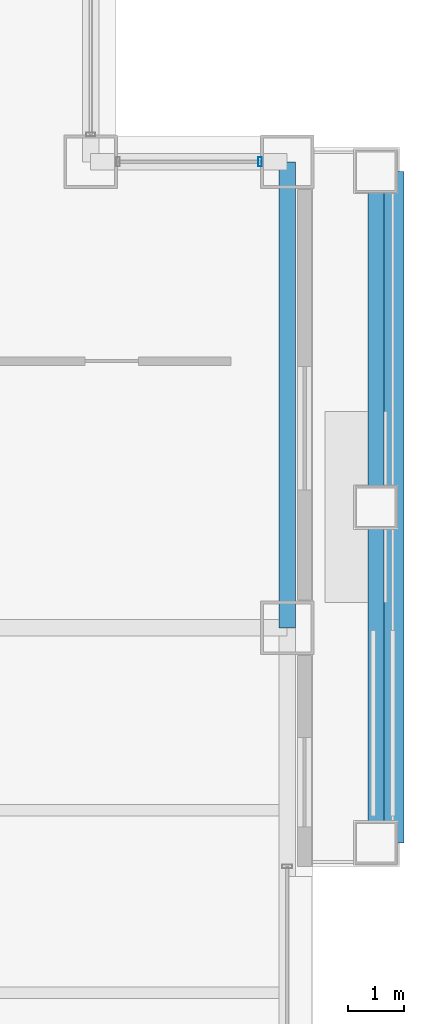
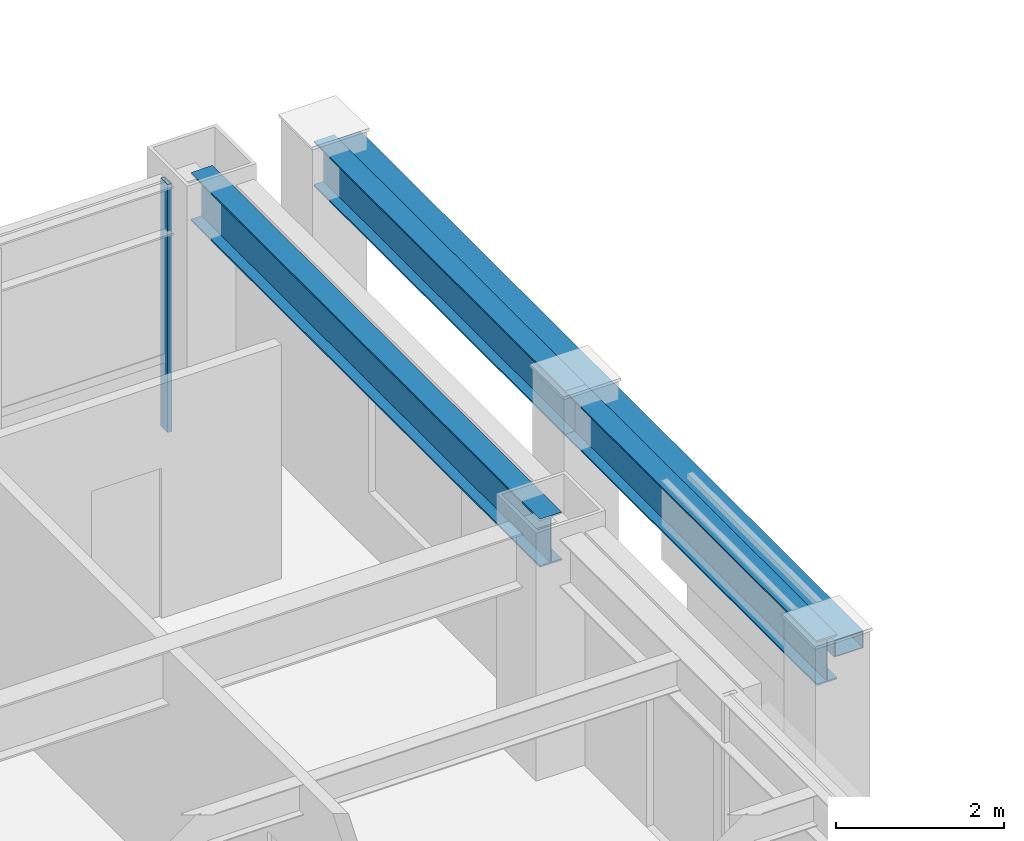
# One storey, part 25 of 34: 3 beams, 2 members, 1 element without a shape of its own.
"""IFC4 building model written with IfcOpenShell, lengths in metres."""

from ifc_helpers import new_model, si_unit, direction, frame, origin, origin_2d, place, context, subcontext, project, spatial, hollow_rectangle, i_section, extrude, material, layer, layer_set, material_profile, profile_set, type_object, element, aggregate, save


model = new_model("IFC4")

# Units and contexts
model_context = context("Model", 3, precision=1e-05, world=origin(), true_north=direction((0.0, 1.0)))
body_context = subcontext(model_context, "Body", "Model", "MODEL_VIEW")
ifc_project = project(units=[si_unit("LENGTHUNIT", "METRE"), si_unit("AREAUNIT", "SQUARE_METRE"), si_unit("VOLUMEUNIT", "CUBIC_METRE"), si_unit("PLANEANGLEUNIT", "RADIAN"), si_unit("MASSUNIT", "GRAM", prefix="KILO")], contexts=[model_context])

# Site, building, storey
site_placement = place(None, origin())
site = spatial("IfcSite", under=ifc_project, at=site_placement, CompositionType="ELEMENT")
building_placement = place(site_placement, origin())
building = spatial("IfcBuilding", under=site, at=building_placement, Name="Brelmoor Portico Tower", CompositionType="ELEMENT")
storey_placement = place(building_placement, frame((0.0, 0.0, 45.60009765625)))
storey = spatial("IfcBuildingStorey", under=building, at=storey_placement, Name="L11", CompositionType="ELEMENT", Elevation=45.60009765625)

# Beams
ifc_material_1 = material(Name="Steel Q355B", Category="steel")
ifc_material_profile_1 = material_profile(ifc_material_1, i_section(OverallWidth=0.280029296875, OverallDepth=0.64990234375, WebThickness=0.012939453125, FlangeThickness=0.02197265625, at=origin_2d()), Name="HN 650x280x13x22")
ifc_profile_set_1 = profile_set([ifc_material_profile_1], Name="Steel Q355B")
beam_type_1 = type_object("IfcBeamType", Name="BM-SP-650", PredefinedType="SPANDREL", material=ifc_profile_set_1)
for number, where, z_axis, x_axis, name in (
    (1, (26.1298828125, 5.919921875, 3.074951171875), (0.0, 1.0, 0.0), (-1.0, 0.0, 0.0), "L11 Picture-Frame Perimeter Lintel Beam E1"),
    (2, (26.1298828125, 11.89990234375, 3.074951171875), (0.0, 1.0, 0.0), (-1.0, 0.0, 0.0), "L11 Picture-Frame Perimeter Lintel Beam E2"),
):
    element("IfcBeam", number, at=place(storey_placement, frame(where, z_axis=z_axis, x_axis=x_axis)), inside=storey, type_object=beam_type_1, Name=name, PredefinedType="SPANDREL", context=body_context, shape_type="SweptSolid", body=[
        extrude(i_section(OverallWidth=0.280029296875, OverallDepth=0.64990234375, WebThickness=0.012939453125, FlangeThickness=0.02197265625, at=origin_2d()), origin(), (0.0, 0.0, 1.0), 5.97998046875),
    ])
ifc_material_profile_2 = material_profile(ifc_material_1, i_section(OverallWidth=0.300048828125, OverallDepth=0.699951171875, WebThickness=0.012939453125, FlangeThickness=0.02392578125, at=origin_2d()), Name="HN 700x300x13x24")
ifc_profile_set_2 = profile_set([ifc_material_profile_2], Name="Steel Q355B")
beam_type_2 = type_object("IfcBeamType", Name="BM-SP-700", PredefinedType="SPANDREL", material=ifc_profile_set_2)
beam_placement = place(storey_placement, frame((24.550048828125, 9.75, 3.0498046875), z_axis=(0.0, 1.0, 0.0), x_axis=(-1.0, 0.0, 0.0)))
element("IfcBeam", 3, at=beam_placement, inside=storey, type_object=beam_type_2, Name="L11 Perimeter Spandrel Beam SP-24", PredefinedType="SPANDREL", context=body_context, shape_type="SweptSolid", body=[
    extrude(i_section(OverallWidth=0.300048828125, OverallDepth=0.699951171875, WebThickness=0.012939453125, FlangeThickness=0.02392578125, at=origin_2d()), origin(), (0.0, 0.0, 1.0), 8.300048828125),
])

# Curtain wall, member
ifc_material_2 = material(Name="Anodised Aluminium Alloy 6063-T6", Category="aluminium")
ifc_layer = layer(ifc_material_2, 0.179931640625)
ifc_layer_set = layer_set([ifc_layer], Name="Anodised Aluminium Alloy 6063-T6")
curtain_wall_type = type_object("IfcCurtainWallType", Name="CW-NOTCH-CHAMFER", PredefinedType="NOTDEFINED", material=ifc_layer_set)
curtain_wall_placement = place(storey_placement, origin())
curtain_wall = element("IfcCurtainWall", 4, at=curtain_wall_placement, inside=storey, type_object=curtain_wall_type, Name="L11 Curtain Wall CWN-L11-NEH", PredefinedType="NOTDEFINED")
ifc_material_profile_3 = material_profile(ifc_material_2, hollow_rectangle(XDim=0.06494140625, YDim=0.1650390625, WallThickness=0.00390625, at=origin_2d()), Name="ALU MULLION 65x165")
ifc_profile_set_3 = profile_set([ifc_material_profile_3], Name="Anodised Aluminium Alloy 6063-T6")
member_type_1 = type_object("IfcMemberType", Name="MB-CW-MULL-165", PredefinedType="MULLION", material=ifc_profile_set_3)
member_1_placement = place(storey_placement, frame((24.06494140625, 18.050048828125, -0.2001953125), z_axis=(0.0, 0.0, 1.0), x_axis=(1.0, 0.0, 0.0)))
member_1 = element("IfcMember", 5, at=member_1_placement, type_object=member_type_1, Name="CWN-L11-NEH Mullion 01", PredefinedType="MULLION", context=body_context, shape_type="SweptSolid", body=[
    extrude(hollow_rectangle(XDim=0.06494140625, YDim=0.1650390625, WallThickness=0.00390625, at=origin_2d()), origin(), (0.0, 0.0, 1.0), 3.60009765625),
])
aggregate(curtain_wall, [member_1])

# Member
ifc_material_3 = material(Name="Pale Champagne Fluoropolymer-Coated Steel Q355B", Category="steel")
ifc_material_profile_4 = material_profile(ifc_material_3, hollow_rectangle(XDim=0.25, YDim=0.39990234375, WallThickness=0.013916015625, at=origin_2d()), Name="RHS 250x400x14")
ifc_profile_set_4 = profile_set([ifc_material_profile_4], Name="Pale Champagne Fluoropolymer-Coated Steel Q355B")
member_type_2 = type_object("IfcMemberType", Name="MB-PF-HEADER", PredefinedType="MEMBER", material=ifc_profile_set_4)
member_2_placement = place(storey_placement, frame((26.429931640625, 5.919921875, 3.199951171875), z_axis=(0.0, 1.0, 0.0), x_axis=(0.0, 0.0, 1.0)))
element("IfcMember", 6, at=member_2_placement, inside=storey, type_object=member_type_2, Name="L11 Picture-Frame Header E", PredefinedType="MEMBER", context=body_context, shape_type="SweptSolid", body=[
    extrude(hollow_rectangle(XDim=0.25, YDim=0.39990234375, WallThickness=0.013916015625, at=origin_2d()), origin(), (0.0, 0.0, 1.0), 11.9599609375),
])

save(model, "model.ifc")
